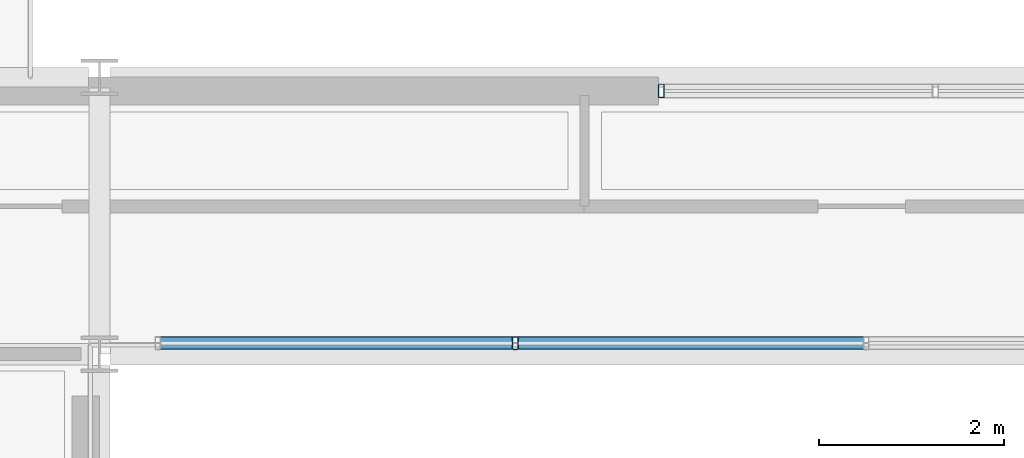
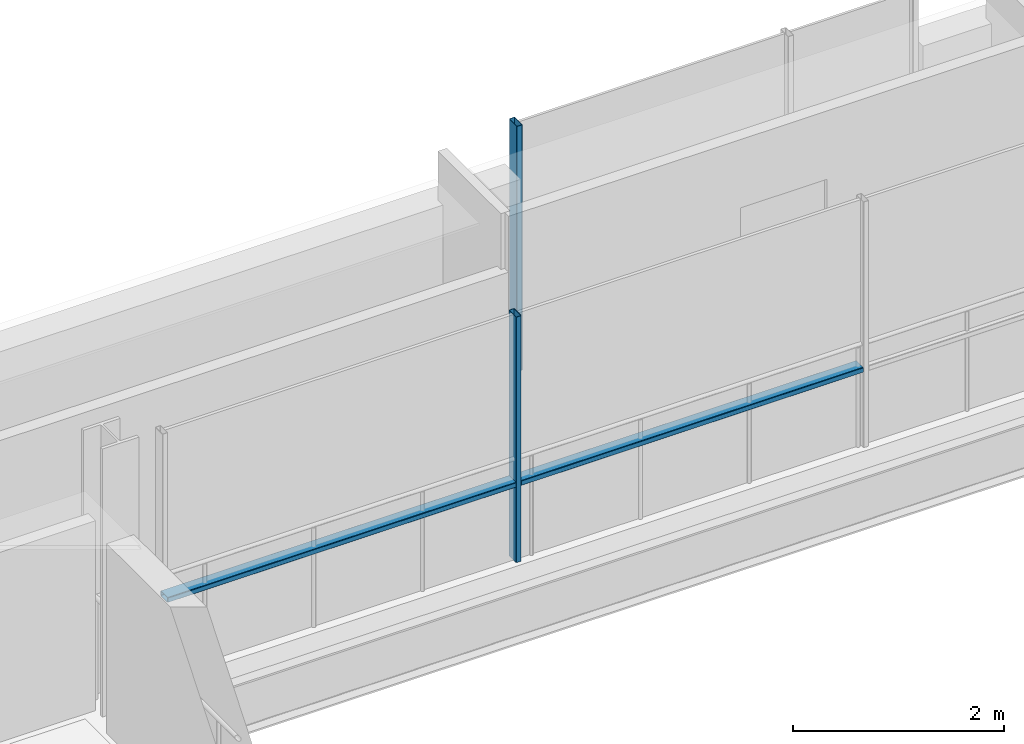
# One storey, part 10 of 36: 4 members, 2 elements without a shape of their own.
"""IFC4 building model written with IfcOpenShell, lengths in metres."""

from ifc_helpers import new_model, si_unit, direction, frame, origin, origin_2d, place, context, subcontext, project, spatial, hollow_rectangle, extrude, material, layer, layer_set, material_profile, profile_set, type_object, element, aggregate, save


model = new_model("IFC4")

# Units and contexts
model_context = context("Model", 3, precision=1e-05, world=origin(), true_north=direction((0.0, 1.0)))
body_context = subcontext(model_context, "Body", "Model", "MODEL_VIEW")
ifc_project = project(units=[si_unit("LENGTHUNIT", "METRE"), si_unit("AREAUNIT", "SQUARE_METRE"), si_unit("VOLUMEUNIT", "CUBIC_METRE"), si_unit("PLANEANGLEUNIT", "RADIAN"), si_unit("MASSUNIT", "GRAM", prefix="KILO")], contexts=[model_context])

# Site, building, storey
site_placement = place(None, origin())
site = spatial("IfcSite", under=ifc_project, at=site_placement, CompositionType="ELEMENT")
building_placement = place(site_placement, origin())
building = spatial("IfcBuilding", under=site, at=building_placement, Name="Brevholm Reach", CompositionType="ELEMENT")
storey_placement = place(building_placement, frame((0.0, 0.0, 175.89990234375)))
storey = spatial("IfcBuildingStorey", under=building, at=storey_placement, Name="L53", CompositionType="ELEMENT", Elevation=175.89990234375)

# Curtain wall, member
ifc_material_1 = material(Name="Dark Anodised Aluminium 6063-T6 and Solar-Control Glass", Category="aluminium")
ifc_layer_1 = layer(ifc_material_1, 0.139892578125)
ifc_layer_set_1 = layer_set([ifc_layer_1], Name="Dark Anodised Aluminium 6063-T6 and Solar-Control Glass")
curtain_wall_type_1 = type_object("IfcCurtainWallType", Name="CW-02", PredefinedType="NOTDEFINED", material=ifc_layer_set_1)
curtain_wall_1_placement = place(storey_placement, origin())
curtain_wall_1 = element("IfcCurtainWall", 1, at=curtain_wall_1_placement, inside=storey, type_object=curtain_wall_type_1, Name="L53 Curtain Wall CW-02", PredefinedType="NOTDEFINED")
ifc_material_2 = material(Name="Dark Anodised Aluminium 6063-T6", Category="aluminium")
ifc_material_profile_1 = material_profile(ifc_material_2, hollow_rectangle(XDim=0.06005859375, YDim=0.139892578125, WallThickness=0.0048828125, InnerFilletRadius=0.0048828125, OuterFilletRadius=0.010009765625, at=origin_2d()), Name="RHS 140x60x5")
ifc_profile_set_1 = profile_set([ifc_material_profile_1], Name="Dark Anodised Aluminium 6063-T6")
member_type_1 = type_object("IfcMemberType", Name="CWM-140", PredefinedType="MULLION", material=ifc_profile_set_1)
member_1_placement = place(storey_placement, frame((26.25, 23.6201171875, 0.0), z_axis=(0.0, 0.0, 1.0), x_axis=(-1.0, 0.0, 0.0)))
member_1 = element("IfcMember", 2, at=member_1_placement, type_object=member_type_1, Name="CM-140 Mullion 4", PredefinedType="MULLION", context=body_context, shape_type="SweptSolid", body=[
    extrude(hollow_rectangle(XDim=0.06005859375, YDim=0.139892578125, WallThickness=0.0048828125, InnerFilletRadius=0.0048828125, OuterFilletRadius=0.010009765625, at=origin_2d()), origin(), (0.0, 0.0, 1.0), 2.840087890625),
])

ifc_material_3 = material(Name="Dark Anodised Aluminium 6063-T6 and Solar-Control Glass", Category="aluminium")
ifc_layer_2 = layer(ifc_material_3, 0.14990234375)
ifc_layer_set_2 = layer_set([ifc_layer_2], Name="Dark Anodised Aluminium 6063-T6 and Solar-Control Glass")
curtain_wall_type_2 = type_object("IfcCurtainWallType", Name="CW-01", PredefinedType="NOTDEFINED", material=ifc_layer_set_2)
curtain_wall_2_placement = place(storey_placement, origin())
curtain_wall_2 = element("IfcCurtainWall", 3, at=curtain_wall_2_placement, inside=storey, type_object=curtain_wall_type_2, Name="L53 Curtain Wall CW-01", PredefinedType="NOTDEFINED")
ifc_material_4 = material(Name="Dark Anodised Aluminium 6063-T6", Category="aluminium")
ifc_material_profile_2 = material_profile(ifc_material_4, hollow_rectangle(XDim=0.06494140625, YDim=0.14990234375, WallThickness=0.0048828125, InnerFilletRadius=0.0048828125, OuterFilletRadius=0.010009765625, at=origin_2d()), Name="RHS 150x65x5")
ifc_profile_set_2 = profile_set([ifc_material_profile_2], Name="Dark Anodised Aluminium 6063-T6")
member_type_2 = type_object("IfcMemberType", Name="CWM-150", PredefinedType="MULLION", material=ifc_profile_set_2)
member_2_placement = place(storey_placement, frame((27.83251953125, 26.35009765625, 0.0), z_axis=(0.0, 0.0, 1.0), x_axis=(1.0, 0.0, 0.0)))
member_2 = element("IfcMember", 4, at=member_2_placement, type_object=member_type_2, Name="CM-150 Mullion 1", PredefinedType="MULLION", context=body_context, shape_type="SweptSolid", body=[
    extrude(hollow_rectangle(XDim=0.06494140625, YDim=0.14990234375, WallThickness=0.0048828125, InnerFilletRadius=0.0048828125, OuterFilletRadius=0.010009765625, at=origin_2d()), origin(), (0.0, 0.0, 1.0), 2.840087890625),
])
aggregate(curtain_wall_2, [member_2])

# Member
ifc_material_5 = material(Name="Dark Anodised Aluminium 6063-T6", Category="aluminium")
ifc_material_profile_3 = material_profile(ifc_material_5, hollow_rectangle(XDim=0.06005859375, YDim=0.139892578125, WallThickness=0.0048828125, InnerFilletRadius=0.0048828125, OuterFilletRadius=0.010009765625, at=origin_2d()), Name="RHS 140x60x5")
ifc_profile_set_3 = profile_set([ifc_material_profile_3], Name="Dark Anodised Aluminium 6063-T6")
member_type_3 = type_object("IfcMemberType", Name="CWT-140", PredefinedType="NOTDEFINED", material=ifc_profile_set_3)
member_3_placement = place(storey_placement, frame((30.02001953125, 23.6201171875, 0.900146484375), z_axis=(-1.0, 0.0, 0.0), x_axis=(0.0, 0.0, 1.0)))
member_3 = element("IfcMember", 5, at=member_3_placement, type_object=member_type_3, Name="CT-140 Transom 3.1", ObjectType="TRANSOM", PredefinedType="USERDEFINED", context=body_context, shape_type="SweptSolid", body=[
    extrude(hollow_rectangle(XDim=0.06005859375, YDim=0.139892578125, WallThickness=0.0048828125, InnerFilletRadius=0.0048828125, OuterFilletRadius=0.010009765625, at=origin_2d()), origin(), (0.0, 0.0, 1.0), 3.739990234375),
])

member_4_placement = place(storey_placement, frame((26.219970703125, 23.6201171875, 0.900146484375), z_axis=(-1.0, 0.0, 0.0), x_axis=(0.0, 0.0, 1.0)))
member_4 = element("IfcMember", 6, at=member_4_placement, type_object=member_type_3, Name="CT-140 Transom 4.1", ObjectType="TRANSOM", PredefinedType="USERDEFINED", context=body_context, shape_type="SweptSolid", body=[
    extrude(hollow_rectangle(XDim=0.06005859375, YDim=0.139892578125, WallThickness=0.0048828125, InnerFilletRadius=0.0048828125, OuterFilletRadius=0.010009765625, at=origin_2d()), origin(), (0.0, 0.0, 1.0), 3.81005859375),
])

aggregate(curtain_wall_1, [member_1, member_3, member_4])

save(model, "model.ifc")
